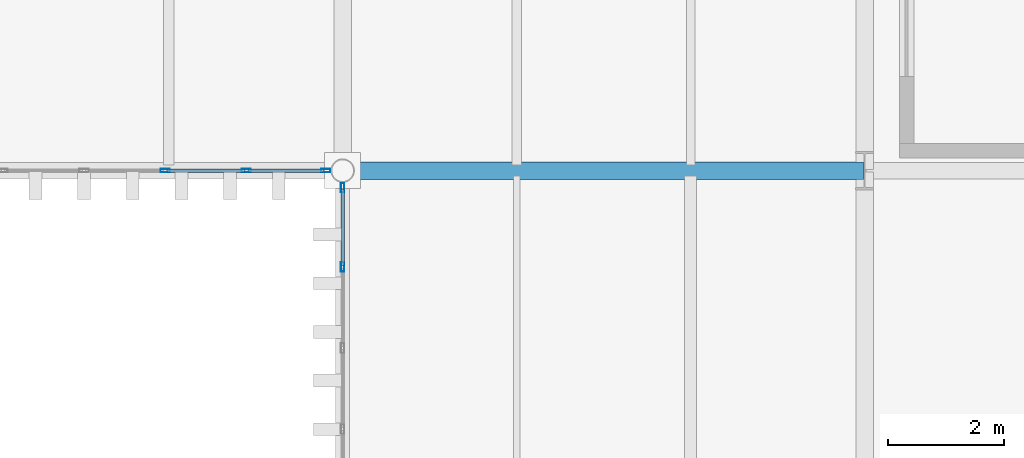
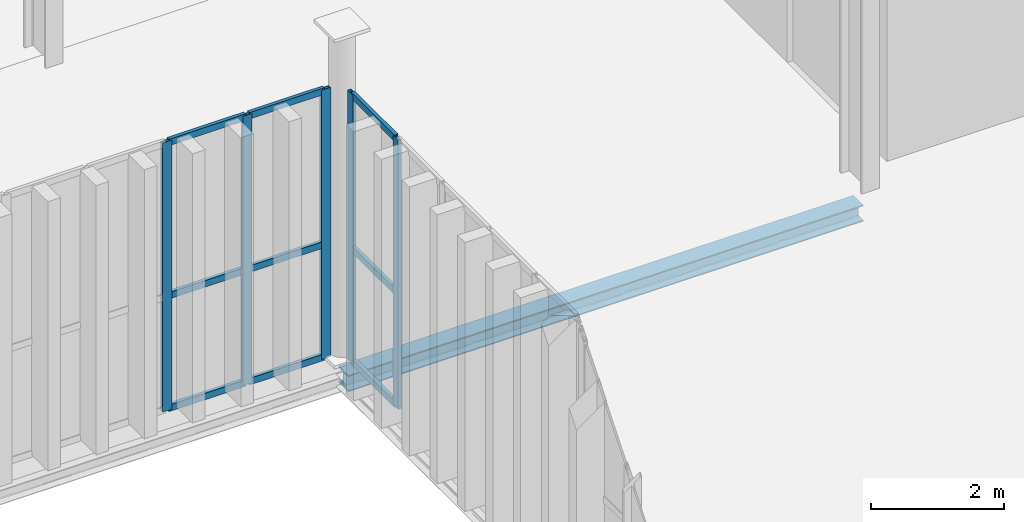
# One storey, part 120 of 211: 14 members, 1 beam, 2 elements without a shape of their own.
"""IFC4 building model written with IfcOpenShell, lengths in metres."""

from ifc_helpers import new_model, si_unit, direction, frame, origin, origin_2d, place, context, subcontext, project, spatial, hollow_rectangle, i_section, extrude, material, layer, layer_set, material_profile, profile_set, type_object, element, aggregate, save


model = new_model("IFC4")

# Units and contexts
model_context = context("Model", 3, precision=1e-05, world=origin(), true_north=direction((0.0, 1.0)))
body_context = subcontext(model_context, "Body", "Model", "MODEL_VIEW")
ifc_project = project(units=[si_unit("LENGTHUNIT", "METRE"), si_unit("AREAUNIT", "SQUARE_METRE"), si_unit("VOLUMEUNIT", "CUBIC_METRE"), si_unit("PLANEANGLEUNIT", "RADIAN"), si_unit("MASSUNIT", "GRAM", prefix="KILO")], contexts=[model_context])

# Site, building, storey
site_placement = place(None, origin())
site = spatial("IfcSite", under=ifc_project, at=site_placement, CompositionType="ELEMENT")
building_placement = place(site_placement, origin())
building = spatial("IfcBuilding", under=site, at=building_placement, Name="Barlavento Convention Centre", CompositionType="ELEMENT")
storey_placement = place(building_placement, frame((0.0, 0.0, 6.0)))
storey = spatial("IfcBuildingStorey", under=building, at=storey_placement, Name="L01", CompositionType="ELEMENT", Elevation=6.0)

# Curtain wall, members
ifc_material_1 = material(Name="Powder-coated aluminium and Low-E glass", Category="aluminium")
ifc_layer = layer(ifc_material_1, 0.195068359375)
ifc_layer_set = layer_set([ifc_layer], Name="ARC-CW-PATIO-A")
curtain_wall_type = type_object("IfcCurtainWallType", Name="ARC-CW-PATIO-A", PredefinedType="NOTDEFINED", material=ifc_layer_set)
curtain_wall_1_placement = place(storey_placement, origin())
curtain_wall_1 = element("IfcCurtainWall", 1, at=curtain_wall_1_placement, inside=storey, type_object=curtain_wall_type, Name="L01 unitised curtain wall CW11", PredefinedType="NOTDEFINED")
ifc_material_2 = material(Name="Powder-coated aluminium", Category="aluminium")
ifc_material_profile_1 = material_profile(ifc_material_2, hollow_rectangle(XDim=0.06005859375, YDim=0.159912109375, WallThickness=0.00390625, at=origin_2d()), Name="AL-MULL 60x160x4")
ifc_profile_set_1 = profile_set([ifc_material_profile_1], Name="Powder-coated aluminium")
member_type_1 = type_object("IfcMemberType", Name="ARC-CWM-60X160", PredefinedType="MULLION", material=ifc_profile_set_1)
member_1_placement = place(storey_placement, frame((167.93994140625, 90.0, 0.0), z_axis=(0.0, 0.0, 1.0), x_axis=(0.0, 1.0, 0.0)))
member_1 = element("IfcMember", 2, at=member_1_placement, type_object=member_type_1, Name="CW11 mullion 5", PredefinedType="MULLION", context=body_context, shape_type="SweptSolid", body=[
    extrude(hollow_rectangle(XDim=0.06005859375, YDim=0.159912109375, WallThickness=0.00390625, at=origin_2d()), origin(), (0.0, 0.0, 1.0), 4.949951171875),
])
member_2_placement = place(storey_placement, frame((169.33837890625, 90.0, 0.0), z_axis=(0.0, 0.0, 1.0), x_axis=(0.0, 1.0, 0.0)))
member_2 = element("IfcMember", 3, at=member_2_placement, type_object=member_type_1, Name="CW11 mullion 6", PredefinedType="MULLION", context=body_context, shape_type="SweptSolid", body=[
    extrude(hollow_rectangle(XDim=0.06005859375, YDim=0.159912109375, WallThickness=0.00390625, at=origin_2d()), origin(), (0.0, 0.0, 1.0), 4.949951171875),
])
member_3_placement = place(storey_placement, frame((170.706787109375, 90.0, 0.0), z_axis=(0.0, 0.0, 1.0), x_axis=(0.0, 1.0, 0.0)))
member_3 = element("IfcMember", 4, at=member_3_placement, type_object=member_type_1, Name="CW11 mullion 7", PredefinedType="MULLION", context=body_context, shape_type="SweptSolid", body=[
    extrude(hollow_rectangle(XDim=0.06005859375, YDim=0.159912109375, WallThickness=0.00390625, at=origin_2d()), origin(), (0.0, 0.0, 1.0), 4.949951171875),
])

curtain_wall_2_placement = place(storey_placement, origin())
curtain_wall_2 = element("IfcCurtainWall", 5, at=curtain_wall_2_placement, inside=storey, type_object=curtain_wall_type, Name="L01 unitised curtain wall CW11", PredefinedType="NOTDEFINED")
member_4_placement = place(storey_placement, frame((171.0, 88.33837890625, 0.0), z_axis=(0.0, 0.0, 1.0), x_axis=(-1.0, 0.0, 0.0)))
member_4 = element("IfcMember", 6, at=member_4_placement, type_object=member_type_1, Name="CW11 mullion 6", PredefinedType="MULLION", context=body_context, shape_type="SweptSolid", body=[
    extrude(hollow_rectangle(XDim=0.06005859375, YDim=0.159912109375, WallThickness=0.00390625, at=origin_2d()), origin(), (0.0, 0.0, 1.0), 4.949951171875),
])
member_5_placement = place(storey_placement, frame((171.0, 89.706787109375, 0.0), z_axis=(0.0, 0.0, 1.0), x_axis=(-1.0, 0.0, 0.0)))
member_5 = element("IfcMember", 7, at=member_5_placement, type_object=member_type_1, Name="CW11 mullion 7", PredefinedType="MULLION", context=body_context, shape_type="SweptSolid", body=[
    extrude(hollow_rectangle(XDim=0.06005859375, YDim=0.159912109375, WallThickness=0.00390625, at=origin_2d()), origin(), (0.0, 0.0, 1.0), 4.949951171875),
])

# Member
ifc_material_profile_2 = material_profile(ifc_material_2, hollow_rectangle(XDim=0.06005859375, YDim=0.1201171875, WallThickness=0.00390625, at=origin_2d()), Name="AL-TRAN 60x120x4")
ifc_profile_set_2 = profile_set([ifc_material_profile_2], Name="Powder-coated aluminium")
member_type_2 = type_object("IfcMemberType", Name="ARC-CWT-60X120", PredefinedType="USERDEFINED", material=ifc_profile_set_2)
member_6_placement = place(storey_placement, frame((167.969970703125, 90.0, 0.030029296875), z_axis=(1.0, 0.0, 0.0), x_axis=(0.0, 1.0, 0.0)))
member_6 = element("IfcMember", 8, at=member_6_placement, type_object=member_type_2, Name="CW11 transom 5.1", ObjectType="TRANSOM", PredefinedType="USERDEFINED", context=body_context, shape_type="SweptSolid", body=[
    extrude(hollow_rectangle(XDim=0.06005859375, YDim=0.1201171875, WallThickness=0.00390625, at=origin_2d()), origin(), (0.0, 0.0, 1.0), 1.33837890625),
])

member_7_placement = place(storey_placement, frame((167.969970703125, 90.0, 2.10009765625), z_axis=(1.0, 0.0, 0.0), x_axis=(0.0, 1.0, 0.0)))
member_7 = element("IfcMember", 9, at=member_7_placement, type_object=member_type_2, Name="CW11 transom 5.2", ObjectType="TRANSOM", PredefinedType="USERDEFINED", context=body_context, shape_type="SweptSolid", body=[
    extrude(hollow_rectangle(XDim=0.06005859375, YDim=0.1201171875, WallThickness=0.00390625, at=origin_2d()), origin(), (0.0, 0.0, 1.0), 1.33837890625),
])

member_8_placement = place(storey_placement, frame((167.969970703125, 90.0, 4.919921875), z_axis=(1.0, 0.0, 0.0), x_axis=(0.0, 1.0, 0.0)))
member_8 = element("IfcMember", 10, at=member_8_placement, type_object=member_type_2, Name="CW11 transom 5.3", ObjectType="TRANSOM", PredefinedType="USERDEFINED", context=body_context, shape_type="SweptSolid", body=[
    extrude(hollow_rectangle(XDim=0.06005859375, YDim=0.1201171875, WallThickness=0.00390625, at=origin_2d()), origin(), (0.0, 0.0, 1.0), 1.33837890625),
])

member_9_placement = place(storey_placement, frame((169.368408203125, 90.0, 0.030029296875), z_axis=(1.0, 0.0, 0.0), x_axis=(0.0, 1.0, 0.0)))
member_9 = element("IfcMember", 11, at=member_9_placement, type_object=member_type_2, Name="CW11 transom 6.1", ObjectType="TRANSOM", PredefinedType="USERDEFINED", context=body_context, shape_type="SweptSolid", body=[
    extrude(hollow_rectangle(XDim=0.06005859375, YDim=0.1201171875, WallThickness=0.00390625, at=origin_2d()), origin(), (0.0, 0.0, 1.0), 1.308349609375),
])

member_10_placement = place(storey_placement, frame((169.368408203125, 90.0, 2.10009765625), z_axis=(1.0, 0.0, 0.0), x_axis=(0.0, 1.0, 0.0)))
member_10 = element("IfcMember", 12, at=member_10_placement, type_object=member_type_2, Name="CW11 transom 6.2", ObjectType="TRANSOM", PredefinedType="USERDEFINED", context=body_context, shape_type="SweptSolid", body=[
    extrude(hollow_rectangle(XDim=0.06005859375, YDim=0.1201171875, WallThickness=0.00390625, at=origin_2d()), origin(), (0.0, 0.0, 1.0), 1.308349609375),
])

member_11_placement = place(storey_placement, frame((169.368408203125, 90.0, 4.919921875), z_axis=(1.0, 0.0, 0.0), x_axis=(0.0, 1.0, 0.0)))
member_11 = element("IfcMember", 13, at=member_11_placement, type_object=member_type_2, Name="CW11 transom 6.3", ObjectType="TRANSOM", PredefinedType="USERDEFINED", context=body_context, shape_type="SweptSolid", body=[
    extrude(hollow_rectangle(XDim=0.06005859375, YDim=0.1201171875, WallThickness=0.00390625, at=origin_2d()), origin(), (0.0, 0.0, 1.0), 1.308349609375),
])

aggregate(curtain_wall_1, [member_1, member_2, member_3, member_6, member_7, member_8, member_9, member_10, member_11])

member_12_placement = place(storey_placement, frame((171.0, 88.368408203125, 0.030029296875), z_axis=(0.0, 1.0, 0.0), x_axis=(-1.0, 0.0, 0.0)))
member_12 = element("IfcMember", 14, at=member_12_placement, type_object=member_type_2, Name="CW11 transom 6.1", ObjectType="TRANSOM", PredefinedType="USERDEFINED", context=body_context, shape_type="SweptSolid", body=[
    extrude(hollow_rectangle(XDim=0.06005859375, YDim=0.1201171875, WallThickness=0.00390625, at=origin_2d()), origin(), (0.0, 0.0, 1.0), 1.308349609375),
])

member_13_placement = place(storey_placement, frame((171.0, 88.368408203125, 2.10009765625), z_axis=(0.0, 1.0, 0.0), x_axis=(-1.0, 0.0, 0.0)))
member_13 = element("IfcMember", 15, at=member_13_placement, type_object=member_type_2, Name="CW11 transom 6.2", ObjectType="TRANSOM", PredefinedType="USERDEFINED", context=body_context, shape_type="SweptSolid", body=[
    extrude(hollow_rectangle(XDim=0.06005859375, YDim=0.1201171875, WallThickness=0.00390625, at=origin_2d()), origin(), (0.0, 0.0, 1.0), 1.308349609375),
])

member_14_placement = place(storey_placement, frame((171.0, 88.368408203125, 4.919921875), z_axis=(0.0, 1.0, 0.0), x_axis=(-1.0, 0.0, 0.0)))
member_14 = element("IfcMember", 16, at=member_14_placement, type_object=member_type_2, Name="CW11 transom 6.3", ObjectType="TRANSOM", PredefinedType="USERDEFINED", context=body_context, shape_type="SweptSolid", body=[
    extrude(hollow_rectangle(XDim=0.06005859375, YDim=0.1201171875, WallThickness=0.00390625, at=origin_2d()), origin(), (0.0, 0.0, 1.0), 1.308349609375),
])

aggregate(curtain_wall_2, [member_4, member_5, member_12, member_13, member_14])

# Beam
ifc_material_3 = material(Name="Steel S355", Category="steel")
ifc_material_profile_3 = material_profile(ifc_material_3, i_section(OverallWidth=0.300048828125, OverallDepth=0.300048828125, WebThickness=0.010986328125, FlangeThickness=0.01904296875, FilletRadius=0.027099609375, at=origin_2d()), Name="HEB 300")
ifc_profile_set_3 = profile_set([ifc_material_profile_3], Name="Steel S355")
beam_type = type_object("IfcBeamType", Name="STR-BM-PRI-HEB300", PredefinedType="BEAM", material=ifc_profile_set_3)
beam_placement = place(storey_placement, frame((171.02001953125, 90.0, -0.510009765625), z_axis=(1.0, 0.0, 0.0), x_axis=(0.0, 1.0, 0.0)))
element("IfcBeam", 17, at=beam_placement, inside=storey, type_object=beam_type, Name="L01 primary girder BG14", PredefinedType="BEAM", context=body_context, shape_type="SweptSolid", body=[
    extrude(i_section(OverallWidth=0.300048828125, OverallDepth=0.300048828125, WebThickness=0.010986328125, FlangeThickness=0.01904296875, FilletRadius=0.027099609375, at=origin_2d()), origin(), (0.0, 0.0, 1.0), 8.9599609375),
])

save(model, "model.ifc")
